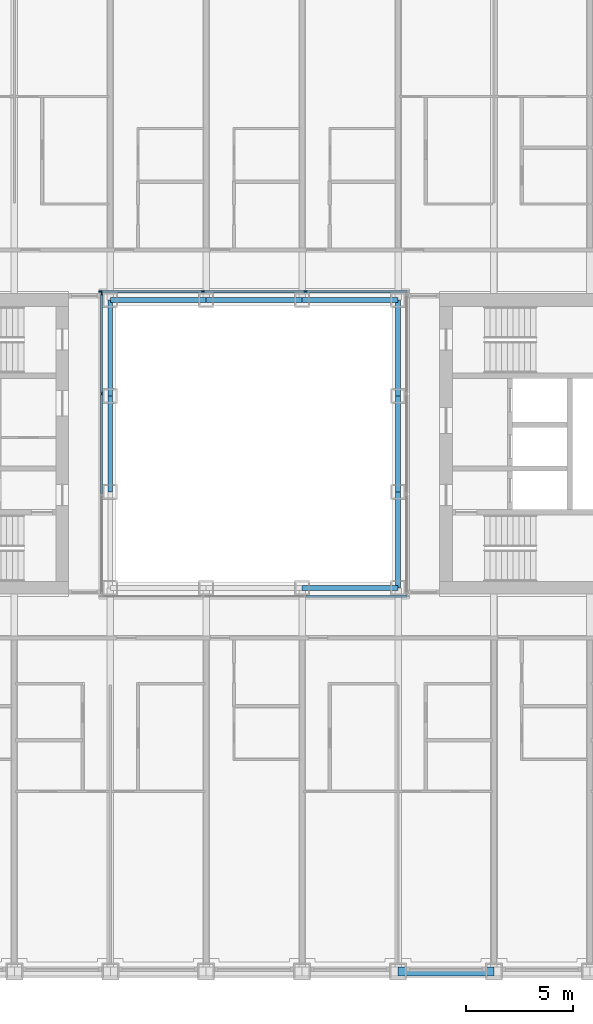
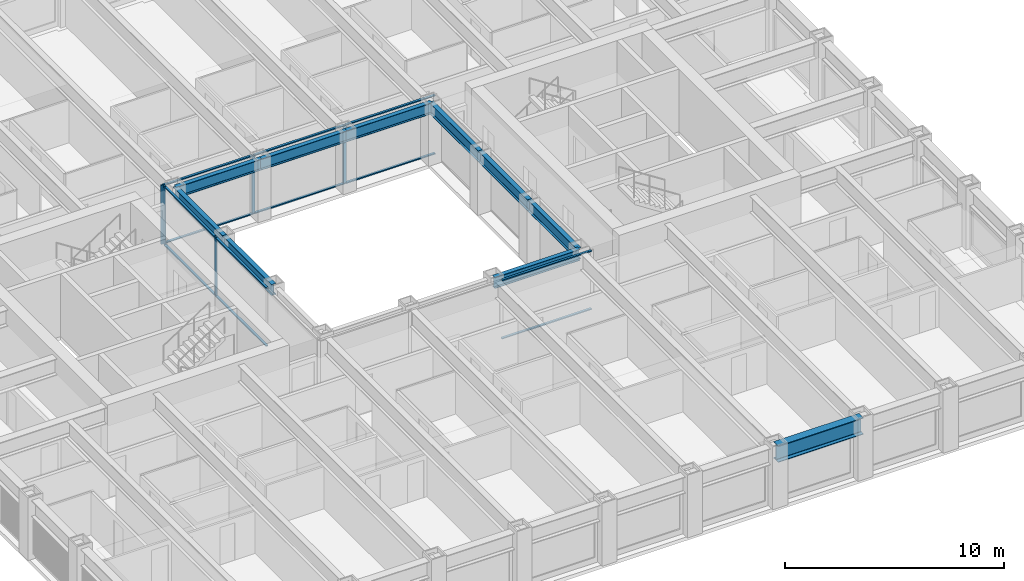
# One storey, part 4 of 21: 17 members, 10 beams, 3 elements without a shape of their own.
"""IFC4 building model written with IfcOpenShell, lengths in metres."""

from ifc_helpers import new_model, si_unit, direction, frame, origin, origin_2d, place, context, subcontext, project, spatial, rectangle, i_section, extrude, material, material_profile, profile_set, type_object, element, aggregate, save


model = new_model("IFC4")

# Units and contexts
model_context = context("Model", 3, precision=1e-05, world=origin(), true_north=direction((0.0, 1.0)))
body_context = subcontext(model_context, "Body", "Model", "MODEL_VIEW")
ifc_project = project(units=[si_unit("LENGTHUNIT", "METRE"), si_unit("AREAUNIT", "SQUARE_METRE"), si_unit("VOLUMEUNIT", "CUBIC_METRE"), si_unit("PLANEANGLEUNIT", "RADIAN"), si_unit("MASSUNIT", "GRAM", prefix="KILO")], contexts=[model_context])

# Site, building, storey
site_placement = place(None, origin())
site = spatial("IfcSite", under=ifc_project, at=site_placement, CompositionType="ELEMENT")
building_placement = place(site_placement, origin())
building = spatial("IfcBuilding", under=site, at=building_placement, Name="Msasa Ring Tower", CompositionType="ELEMENT")
storey_placement = place(building_placement, frame((0.0, 0.0, 40.5)))
storey = spatial("IfcBuildingStorey", under=building, at=storey_placement, Name="L09", CompositionType="ELEMENT", Elevation=40.5)

# Curtain wall, members
ifc_material_1 = material(Name="Aluminium curtain wall with clear glass", Category="aluminium")
curtain_wall_type = type_object("IfcCurtainWallType", Name="CW-W LIGHT WELL CURTAIN WALL", PredefinedType="NOTDEFINED", material=ifc_material_1)
curtain_wall_1_placement = place(storey_placement, origin())
curtain_wall_1 = element("IfcCurtainWall", 1, at=curtain_wall_1_placement, inside=storey, type_object=curtain_wall_type, Name="Light well curtain wall N L09", PredefinedType="NOTDEFINED")
ifc_material_2 = material(Name="Aluminium mullion", Category="aluminium")
ifc_material_profile_1 = material_profile(ifc_material_2, rectangle(XDim=0.06005859375, YDim=0.159912109375, at=origin_2d()), Name="AL 60x160")
ifc_profile_set_1 = profile_set([ifc_material_profile_1], Name="Aluminium mullion")
member_type_1 = type_object("IfcMemberType", Name="CW-W MULLION 60x160", PredefinedType="MULLION", material=ifc_profile_set_1)
member_1_placement = place(storey_placement, frame((-7.199951171875, 7.14990234375, 0.0), z_axis=(0.0, 0.0, 1.0), x_axis=(0.0, 1.0, 0.0)))
member_1 = element("IfcMember", 2, at=member_1_placement, type_object=member_type_1, Name="CW-W mullion 1", PredefinedType="MULLION", context=body_context, shape_type="SweptSolid", body=[
    extrude(rectangle(XDim=0.06005859375, YDim=0.159912109375, at=origin_2d()), origin(), (0.0, 0.0, 1.0), 3.300048828125),
])
member_2_placement = place(storey_placement, frame((-2.409912109375, 7.14990234375, 0.0), z_axis=(0.0, 0.0, 1.0), x_axis=(0.0, 1.0, 0.0)))
member_2 = element("IfcMember", 3, at=member_2_placement, type_object=member_type_1, Name="CW-W mullion 2", PredefinedType="MULLION", context=body_context, shape_type="SweptSolid", body=[
    extrude(rectangle(XDim=0.06005859375, YDim=0.159912109375, at=origin_2d()), origin(), (0.0, 0.0, 1.0), 3.300048828125),
])
member_3_placement = place(storey_placement, frame((2.409912109375, 7.14990234375, 0.0), z_axis=(0.0, 0.0, 1.0), x_axis=(0.0, 1.0, 0.0)))
member_3 = element("IfcMember", 4, at=member_3_placement, type_object=member_type_1, Name="CW-W mullion 3", PredefinedType="MULLION", context=body_context, shape_type="SweptSolid", body=[
    extrude(rectangle(XDim=0.06005859375, YDim=0.159912109375, at=origin_2d()), origin(), (0.0, 0.0, 1.0), 3.300048828125),
])

curtain_wall_2_placement = place(storey_placement, origin())
curtain_wall_2 = element("IfcCurtainWall", 5, at=curtain_wall_2_placement, inside=storey, type_object=curtain_wall_type, Name="Light well curtain wall W L09", PredefinedType="NOTDEFINED")
member_4_placement = place(storey_placement, frame((-7.14990234375, 2.356689453125, 0.0), z_axis=(0.0, 0.0, 1.0), x_axis=(-1.0, 0.0, 0.0)))
member_4 = element("IfcMember", 6, at=member_4_placement, type_object=member_type_1, Name="CW-W mullion 3", PredefinedType="MULLION", context=body_context, shape_type="SweptSolid", body=[
    extrude(rectangle(XDim=0.06005859375, YDim=0.159912109375, at=origin_2d()), origin(), (0.0, 0.0, 1.0), 3.300048828125),
])
member_5_placement = place(storey_placement, frame((-7.14990234375, 7.0400390625, 0.0), z_axis=(0.0, 0.0, 1.0), x_axis=(-1.0, 0.0, 0.0)))
member_5 = element("IfcMember", 7, at=member_5_placement, type_object=member_type_1, Name="CW-W mullion 4", PredefinedType="MULLION", context=body_context, shape_type="SweptSolid", body=[
    extrude(rectangle(XDim=0.06005859375, YDim=0.159912109375, at=origin_2d()), origin(), (0.0, 0.0, 1.0), 3.300048828125),
])

# Member
ifc_material_3 = material(Name="Aluminium transom", Category="aluminium")
ifc_material_profile_2 = material_profile(ifc_material_3, rectangle(XDim=0.1201171875, YDim=0.06005859375, at=origin_2d()), Name="AL 60x120")
ifc_profile_set_2 = profile_set([ifc_material_profile_2], Name="Aluminium transom")
member_type_2 = type_object("IfcMemberType", Name="CW-W TRANSOM 60x120", PredefinedType="USERDEFINED", material=ifc_profile_set_2)
member_6_placement = place(storey_placement, frame((-7.169921875, 7.14990234375, 0.030029296875), z_axis=(1.0, 0.0, 0.0), x_axis=(0.0, 1.0, 0.0)))
member_6 = element("IfcMember", 8, at=member_6_placement, type_object=member_type_2, Name="CW-W transom 1.1", ObjectType="TRANSOM", PredefinedType="USERDEFINED", context=body_context, shape_type="SweptSolid", body=[
    extrude(rectangle(XDim=0.1201171875, YDim=0.06005859375, at=origin_2d()), origin(), (0.0, 0.0, 1.0), 4.72998046875),
])

member_7_placement = place(storey_placement, frame((-7.169921875, 7.14990234375, 3.27001953125), z_axis=(1.0, 0.0, 0.0), x_axis=(0.0, 1.0, 0.0)))
member_7 = element("IfcMember", 9, at=member_7_placement, type_object=member_type_2, Name="CW-W transom 1.2", ObjectType="TRANSOM", PredefinedType="USERDEFINED", context=body_context, shape_type="SweptSolid", body=[
    extrude(rectangle(XDim=0.1201171875, YDim=0.06005859375, at=origin_2d()), origin(), (0.0, 0.0, 1.0), 4.72998046875),
])

member_8_placement = place(storey_placement, frame((-2.3798828125, 7.14990234375, 0.030029296875), z_axis=(1.0, 0.0, 0.0), x_axis=(0.0, 1.0, 0.0)))
member_8 = element("IfcMember", 10, at=member_8_placement, type_object=member_type_2, Name="CW-W transom 2.1", ObjectType="TRANSOM", PredefinedType="USERDEFINED", context=body_context, shape_type="SweptSolid", body=[
    extrude(rectangle(XDim=0.1201171875, YDim=0.06005859375, at=origin_2d()), origin(), (0.0, 0.0, 1.0), 4.759765625),
])

member_9_placement = place(storey_placement, frame((-2.3798828125, 7.14990234375, 3.27001953125), z_axis=(1.0, 0.0, 0.0), x_axis=(0.0, 1.0, 0.0)))
member_9 = element("IfcMember", 11, at=member_9_placement, type_object=member_type_2, Name="CW-W transom 2.2", ObjectType="TRANSOM", PredefinedType="USERDEFINED", context=body_context, shape_type="SweptSolid", body=[
    extrude(rectangle(XDim=0.1201171875, YDim=0.06005859375, at=origin_2d()), origin(), (0.0, 0.0, 1.0), 4.759765625),
])

member_10_placement = place(storey_placement, frame((2.43994140625, 7.14990234375, 0.030029296875), z_axis=(1.0, 0.0, 0.0), x_axis=(0.0, 1.0, 0.0)))
member_10 = element("IfcMember", 12, at=member_10_placement, type_object=member_type_2, Name="CW-W transom 3.1", ObjectType="TRANSOM", PredefinedType="USERDEFINED", context=body_context, shape_type="SweptSolid", body=[
    extrude(rectangle(XDim=0.1201171875, YDim=0.06005859375, at=origin_2d()), origin(), (0.0, 0.0, 1.0), 4.72998046875),
])

member_11_placement = place(storey_placement, frame((2.43994140625, 7.14990234375, 3.27001953125), z_axis=(1.0, 0.0, 0.0), x_axis=(0.0, 1.0, 0.0)))
member_11 = element("IfcMember", 13, at=member_11_placement, type_object=member_type_2, Name="CW-W transom 3.2", ObjectType="TRANSOM", PredefinedType="USERDEFINED", context=body_context, shape_type="SweptSolid", body=[
    extrude(rectangle(XDim=0.1201171875, YDim=0.06005859375, at=origin_2d()), origin(), (0.0, 0.0, 1.0), 4.72998046875),
])

aggregate(curtain_wall_1, [member_1, member_2, member_3, member_6, member_7, member_8, member_9, member_10, member_11])

# Curtain wall, members
curtain_wall_3_placement = place(storey_placement, origin())
curtain_wall_3 = element("IfcCurtainWall", 14, at=curtain_wall_3_placement, inside=storey, type_object=curtain_wall_type, Name="Light well curtain wall S L09", PredefinedType="NOTDEFINED")
member_12_placement = place(storey_placement, frame((2.43994140625, -7.14990234375, 0.030029296875), z_axis=(1.0, 0.0, 0.0), x_axis=(0.0, 1.0, 0.0)))
member_12 = element("IfcMember", 15, at=member_12_placement, type_object=member_type_2, Name="CW-W transom 3.1", ObjectType="TRANSOM", PredefinedType="USERDEFINED", context=body_context, shape_type="SweptSolid", body=[
    extrude(rectangle(XDim=0.1201171875, YDim=0.06005859375, at=origin_2d()), origin(), (0.0, 0.0, 1.0), 4.72998046875),
])
member_13_placement = place(storey_placement, frame((2.43994140625, -7.14990234375, 3.27001953125), z_axis=(1.0, 0.0, 0.0), x_axis=(0.0, 1.0, 0.0)))
member_13 = element("IfcMember", 16, at=member_13_placement, type_object=member_type_2, Name="CW-W transom 3.2", ObjectType="TRANSOM", PredefinedType="USERDEFINED", context=body_context, shape_type="SweptSolid", body=[
    extrude(rectangle(XDim=0.1201171875, YDim=0.06005859375, at=origin_2d()), origin(), (0.0, 0.0, 1.0), 4.72998046875),
])
aggregate(curtain_wall_3, [member_12, member_13])

# Member
member_14_placement = place(storey_placement, frame((-7.14990234375, -2.32666015625, 0.030029296875), z_axis=(0.0, 1.0, 0.0), x_axis=(-1.0, 0.0, 0.0)))
member_14 = element("IfcMember", 17, at=member_14_placement, type_object=member_type_2, Name="CW-W transom 2.1", ObjectType="TRANSOM", PredefinedType="USERDEFINED", context=body_context, shape_type="SweptSolid", body=[
    extrude(rectangle(XDim=0.1201171875, YDim=0.06005859375, at=origin_2d()), origin(), (0.0, 0.0, 1.0), 4.6533203125),
])

member_15_placement = place(storey_placement, frame((-7.14990234375, -2.32666015625, 3.27001953125), z_axis=(0.0, 1.0, 0.0), x_axis=(-1.0, 0.0, 0.0)))
member_15 = element("IfcMember", 18, at=member_15_placement, type_object=member_type_2, Name="CW-W transom 2.2", ObjectType="TRANSOM", PredefinedType="USERDEFINED", context=body_context, shape_type="SweptSolid", body=[
    extrude(rectangle(XDim=0.1201171875, YDim=0.06005859375, at=origin_2d()), origin(), (0.0, 0.0, 1.0), 4.6533203125),
])

member_16_placement = place(storey_placement, frame((-7.14990234375, 2.38671875, 0.030029296875), z_axis=(0.0, 1.0, 0.0), x_axis=(-1.0, 0.0, 0.0)))
member_16 = element("IfcMember", 19, at=member_16_placement, type_object=member_type_2, Name="CW-W transom 3.1", ObjectType="TRANSOM", PredefinedType="USERDEFINED", context=body_context, shape_type="SweptSolid", body=[
    extrude(rectangle(XDim=0.1201171875, YDim=0.06005859375, at=origin_2d()), origin(), (0.0, 0.0, 1.0), 4.623291015625),
])

member_17_placement = place(storey_placement, frame((-7.14990234375, 2.38671875, 3.27001953125), z_axis=(0.0, 1.0, 0.0), x_axis=(-1.0, 0.0, 0.0)))
member_17 = element("IfcMember", 20, at=member_17_placement, type_object=member_type_2, Name="CW-W transom 3.2", ObjectType="TRANSOM", PredefinedType="USERDEFINED", context=body_context, shape_type="SweptSolid", body=[
    extrude(rectangle(XDim=0.1201171875, YDim=0.06005859375, at=origin_2d()), origin(), (0.0, 0.0, 1.0), 4.623291015625),
])

aggregate(curtain_wall_2, [member_4, member_5, member_14, member_15, member_16, member_17])

# Beams
ifc_material_4 = material(Name="Steel S355", Category="steel")
ifc_material_profile_3 = material_profile(ifc_material_4, i_section(OverallWidth=0.230224609375, OverallDepth=0.6171875, WebThickness=0.01318359375, FlangeThickness=0.022216796875, FilletRadius=0.0126953125, at=origin_2d()), Name="UB 610x229x140")
ifc_profile_set_3 = profile_set([ifc_material_profile_3], Name="Steel S355")
beam_type_1 = type_object("IfcBeamType", Name="RB1 UB 610x229x140", PredefinedType="BEAM", material=ifc_profile_set_3)
for number, where, z_axis, x_axis, name in (
    (21, (2.25, -6.75, 2.991455078125), (1.0, 0.0, 0.0), (0.0, 1.0, 0.0), "Inner ring beam IR+2.25-6.75 under L10"),
    (22, (6.75, -6.75, 2.991455078125), (0.0, 1.0, 0.0), (-1.0, 0.0, 0.0), "Inner ring beam IR+6.75-6.75 under L10"),
    (23, (6.75, -2.25, 2.991455078125), (0.0, 1.0, 0.0), (-1.0, 0.0, 0.0), "Inner ring beam IR+6.75-2.25 under L10"),
    (24, (6.75, 2.25, 2.991455078125), (0.0, 1.0, 0.0), (-1.0, 0.0, 0.0), "Inner ring beam IR+6.75+2.25 under L10"),
    (25, (6.75, 6.75, 2.991455078125), (-1.0, 0.0, 0.0), (0.0, -1.0, 0.0), "Inner ring beam IR+6.75+6.75 under L10"),
    (26, (2.25, 6.75, 2.991455078125), (-1.0, 0.0, 0.0), (0.0, -1.0, 0.0), "Inner ring beam IR+2.25+6.75 under L10"),
    (27, (-2.25, 6.75, 2.991455078125), (-1.0, 0.0, 0.0), (0.0, -1.0, 0.0), "Inner ring beam IR-2.25+6.75 under L10"),
    (28, (-6.75, 6.75, 2.991455078125), (0.0, -1.0, 0.0), (1.0, 0.0, 0.0), "Inner ring beam IR-6.75+6.75 under L10"),
    (29, (-6.75, 2.25, 2.991455078125), (0.0, -1.0, 0.0), (1.0, 0.0, 0.0), "Inner ring beam IR-6.75+2.25 under L10"),
):
    element("IfcBeam", number, at=place(storey_placement, frame(where, z_axis=z_axis, x_axis=x_axis)), inside=storey, type_object=beam_type_1, Name=name, PredefinedType="BEAM", context=body_context, shape_type="SweptSolid", body=[
        extrude(i_section(OverallWidth=0.230224609375, OverallDepth=0.6171875, WebThickness=0.01318359375, FlangeThickness=0.022216796875, FilletRadius=0.0126953125, at=origin_2d()), origin(), (0.0, 0.0, 1.0), 4.5),
    ])
ifc_material_5 = material(Name="Steel S355", Category="steel")
ifc_material_profile_4 = material_profile(ifc_material_5, i_section(OverallWidth=0.42041015625, OverallDepth=0.9208984375, WebThickness=0.021484375, FlangeThickness=0.03662109375, FilletRadius=0.024169921875, at=origin_2d()), Name="UB 914x419x388")
ifc_profile_set_4 = profile_set([ifc_material_profile_4], Name="Steel S355")
beam_type_2 = type_object("IfcBeamType", Name="SB1 UB 914x419x388", PredefinedType="SPANDREL", material=ifc_profile_set_4)
beam_placement = place(storey_placement, frame((6.75, -24.75, 2.839599609375), z_axis=(1.0, 0.0, 0.0), x_axis=(0.0, 1.0, 0.0)))
element("IfcBeam", 30, at=beam_placement, inside=storey, type_object=beam_type_2, Name="Spandrel S+6.75 to S+11.25 under L10", PredefinedType="SPANDREL", context=body_context, shape_type="SweptSolid", body=[
    extrude(i_section(OverallWidth=0.42041015625, OverallDepth=0.9208984375, WebThickness=0.021484375, FlangeThickness=0.03662109375, FilletRadius=0.024169921875, at=origin_2d()), origin(), (0.0, 0.0, 1.0), 4.5),
])

save(model, "model.ifc")
